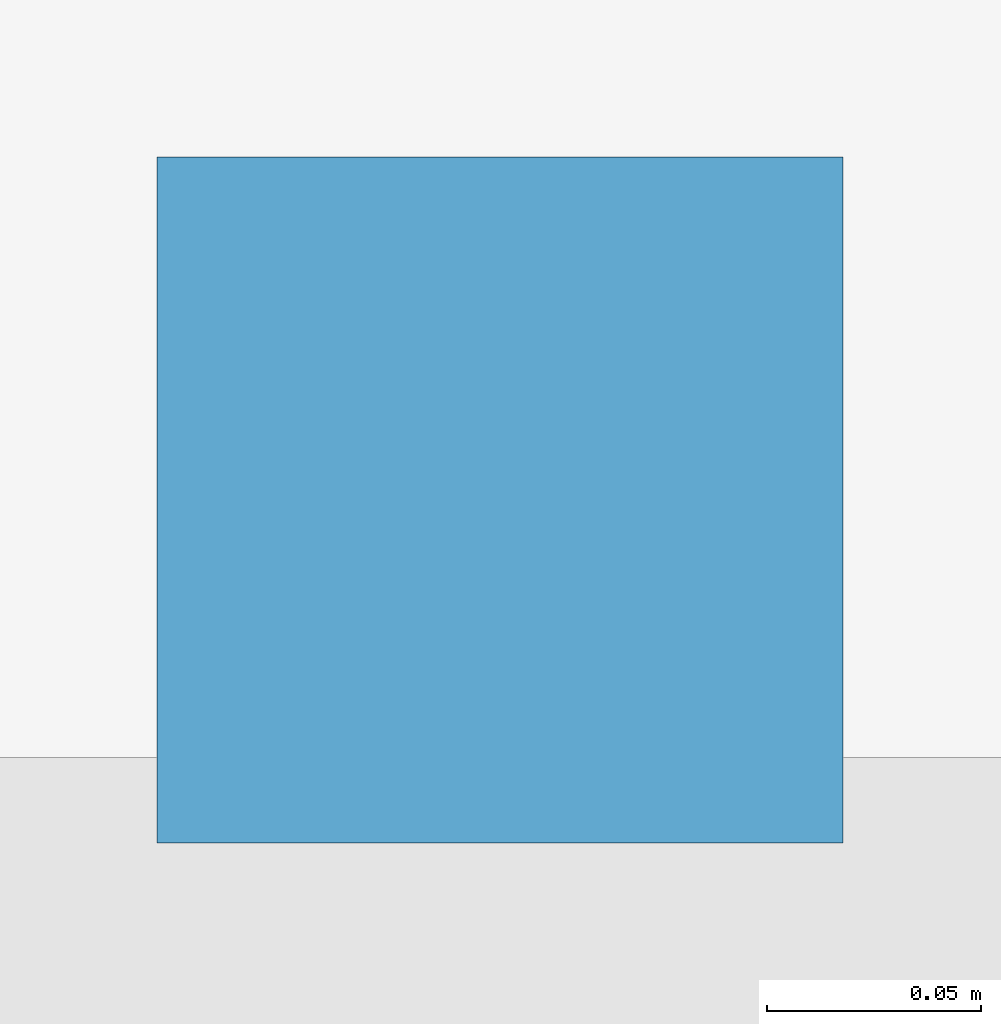
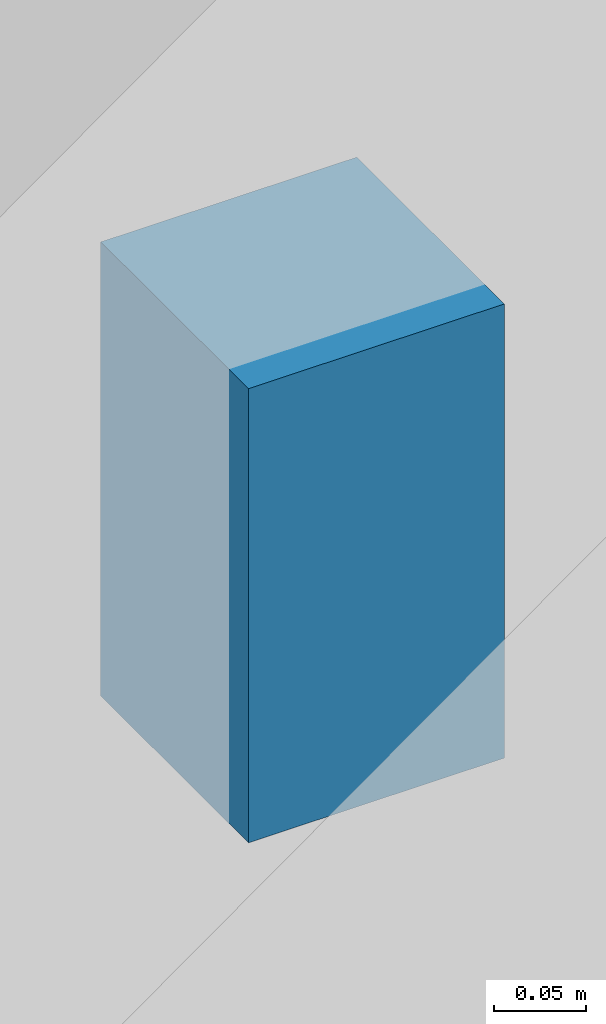
# One storey, part 58 of 61: 1 discrete accessory.
"""IFC4 building model written with IfcOpenShell, lengths in metres."""

from ifc_helpers import new_model, si_unit, direction, frame, origin, origin_2d, place, context, subcontext, project, spatial, rectangle, extrude, material, type_object, element, save


model = new_model("IFC4")

# Units and contexts
model_context = context("Model", 3, precision=1e-05, world=origin(), true_north=direction((0.0, 1.0)))
body_context = subcontext(model_context, "Body", "Model", "MODEL_VIEW")
ifc_project = project(units=[si_unit("LENGTHUNIT", "METRE"), si_unit("AREAUNIT", "SQUARE_METRE"), si_unit("VOLUMEUNIT", "CUBIC_METRE"), si_unit("PLANEANGLEUNIT", "RADIAN"), si_unit("MASSUNIT", "GRAM", prefix="KILO")], contexts=[model_context])

# Site, building, storey
site_placement = place(None, origin())
site = spatial("IfcSite", under=ifc_project, at=site_placement, CompositionType="ELEMENT")
building_placement = place(site_placement, origin())
building = spatial("IfcBuilding", under=site, at=building_placement, Name="Vellmiral Cinema and Media Centre", CompositionType="ELEMENT")
storey_placement = place(building_placement, frame((0.0, 0.0, 10.800048828125)))
storey = spatial("IfcBuildingStorey", under=building, at=storey_placement, Name="L02", CompositionType="ELEMENT", Elevation=10.800048828125)

# Discrete accessory
ifc_material = material(Name="Steel S355", Category="steel")
discrete_accessory_type = type_object("IfcDiscreteAccessoryType", Name="ACC-LIFT-GUIDE", PredefinedType="BRACKET", material=ifc_material)
discrete_accessory_placement = place(storey_placement, frame((44.800048828125, 66.360107421875, 2.39990234375), z_axis=(0.0, 0.0, 1.0), x_axis=(1.0, 0.0, 0.0)))
element("IfcDiscreteAccessory", 1, at=discrete_accessory_placement, inside=storey, type_object=discrete_accessory_type, Name="Lift Guide and Overrun Bracket LF-C1", PredefinedType="BRACKET", context=body_context, shape_type="SweptSolid", body=[
    extrude(rectangle(XDim=0.159912109375, YDim=0.159912109375, at=origin_2d()), origin(), (0.0, 0.0, 1.0), 0.300048828125),
])

save(model, "model.ifc")
